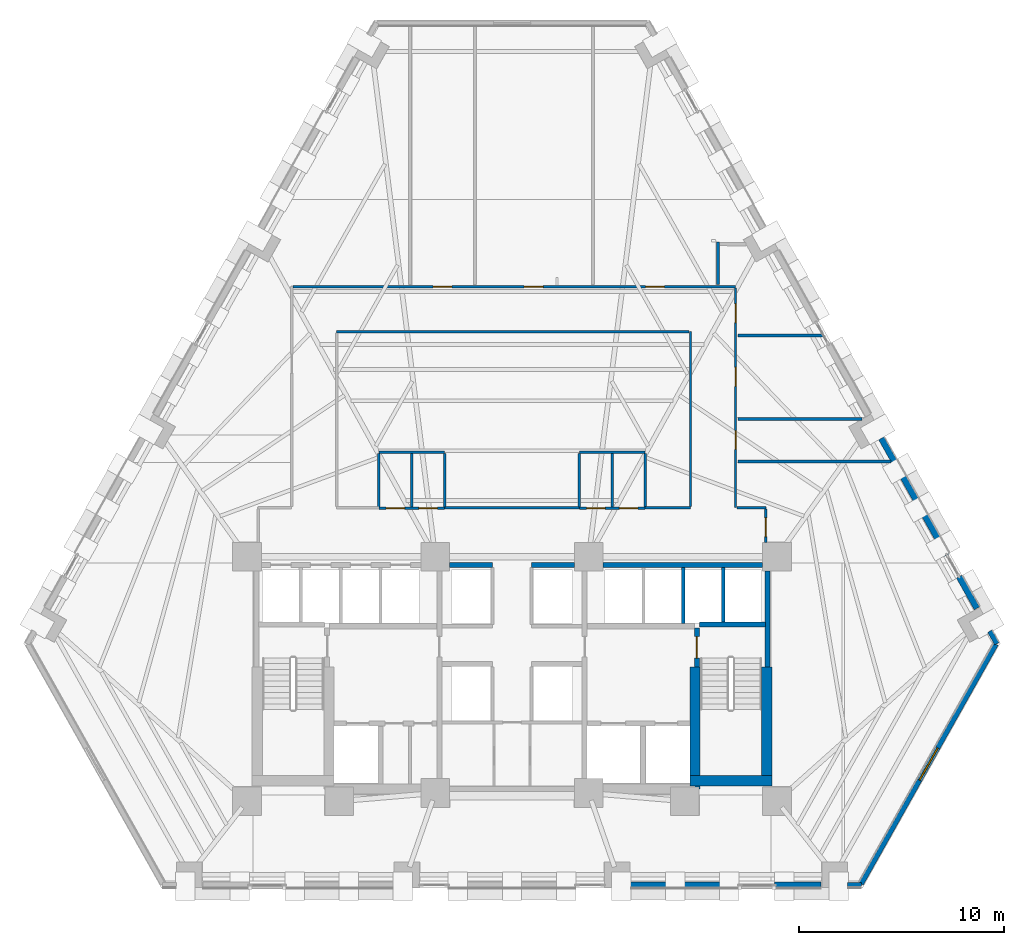
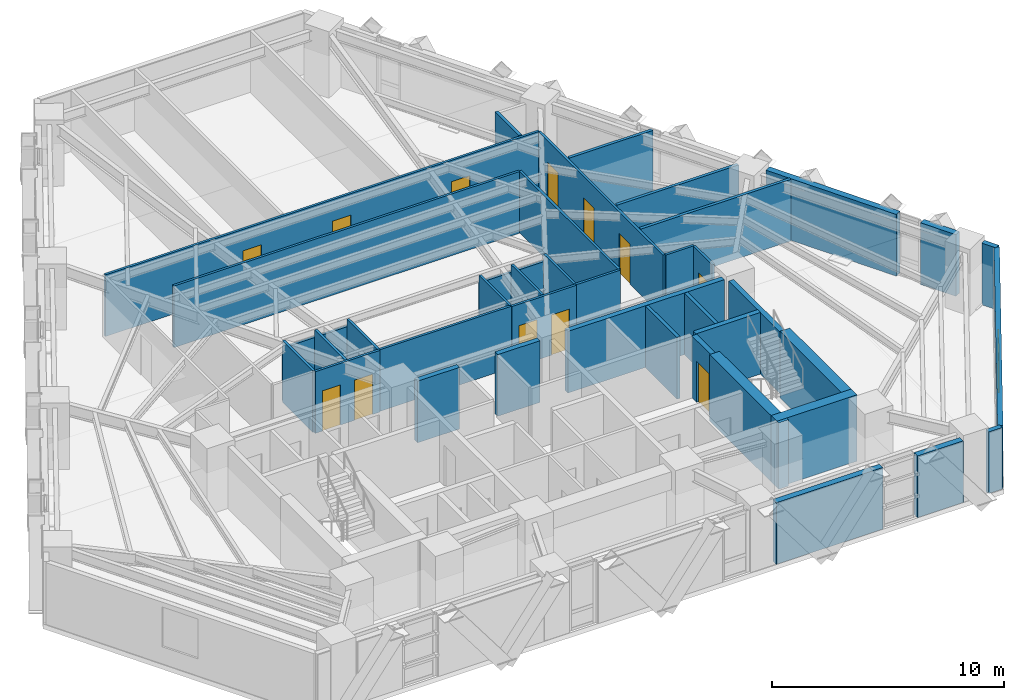
# One storey, part 8 of 13: 40 walls, 12 doors, 1 window, 13 openings.
"""IFC4 building model written with IfcOpenShell, lengths in metres."""

from ifc_helpers import new_model, si_unit, direction, frame, frame_2d, origin, place, context, subcontext, project, spatial, rectangle, extrude, material, layer, layer_set, type_object, element, fill, save


model = new_model("IFC4")

# Units and contexts
model_context = context("Model", 3, precision=1e-05, world=origin(), true_north=direction((0.0, 1.0)))
body_context = subcontext(model_context, "Body", "Model", "MODEL_VIEW")
ifc_project = project(units=[si_unit("LENGTHUNIT", "METRE"), si_unit("AREAUNIT", "SQUARE_METRE"), si_unit("VOLUMEUNIT", "CUBIC_METRE"), si_unit("PLANEANGLEUNIT", "RADIAN"), si_unit("MASSUNIT", "GRAM", prefix="KILO")], contexts=[model_context])

# Site, building, storey
site_placement = place(None, origin())
site = spatial("IfcSite", under=ifc_project, at=site_placement, CompositionType="ELEMENT")
building_placement = place(site_placement, origin())
building = spatial("IfcBuilding", under=site, at=building_placement, Name="Quenlor Broadcast Tower", CompositionType="ELEMENT")
storey_placement = place(building_placement, frame((0.0, 0.0, 38.10009765625)))
storey = spatial("IfcBuildingStorey", under=building, at=storey_placement, Name="L09", CompositionType="ELEMENT", Elevation=38.10009765625)

# Walls
ifc_material_1 = material(Name="Acoustic Double Stud Gypsum Partition", Category="other")
ifc_layer_1 = layer(ifc_material_1, 0.14990234375)
ifc_layer_set_1 = layer_set([ifc_layer_1], Name="Broadcast Studio Acoustic Partition 150")
wall_type_1 = type_object("IfcWallType", Name="Broadcast Studio Acoustic Partition 150", PredefinedType="PARTITIONING", material=ifc_layer_set_1)
wall_1_placement = place(storey_placement, frame((10.06005859375, 10.573486328125, 0.0), z_axis=(0.0, 0.0, 1.0), x_axis=(0.0, -1.0, 0.0)))
element("IfcWall", 1, at=wall_1_placement, inside=storey, type_object=wall_type_1, Name="L09 Interior Wall PW-DV-04", PredefinedType="PARTITIONING", context=body_context, shape_type="SweptSolid", body=[
    extrude(rectangle(XDim=2.0634765625, YDim=0.14990234375, at=frame_2d((1.03173828125, 0.0))), origin(), (0.0, 0.0, 1.0), 3.25),
])
wall_2_placement = place(storey_placement, frame((15.206298828125, 6.02001953125, 0.0), z_axis=(0.0, 0.0, 1.0), x_axis=(-1.0, 0.0, 0.0)))
element("IfcWall", 2, at=wall_2_placement, inside=storey, type_object=wall_type_1, Name="L09 Interior Wall PW-DV-06", PredefinedType="PARTITIONING", context=body_context, shape_type="SweptSolid", body=[
    extrude(rectangle(XDim=4.17138671875, YDim=0.14990234375, at=frame_2d((2.085693359375, 0.0))), origin(), (0.0, 0.0, 1.0), 3.25),
])
wall_3_placement = place(storey_placement, frame((17.1064453125, 1.919921875, 0.0), z_axis=(0.0, 0.0, 1.0), x_axis=(-1.0, 0.0, 0.0)))
element("IfcWall", 3, at=wall_3_placement, inside=storey, type_object=wall_type_1, Name="L09 Interior Wall PW-DV-07", PredefinedType="PARTITIONING", context=body_context, shape_type="SweptSolid", body=[
    extrude(rectangle(XDim=6.071533203125, YDim=0.14990234375, at=frame_2d((3.03564453125, 0.0))), origin(), (0.0, 0.0, 1.0), 3.25),
])
wall_4_placement = place(storey_placement, frame((18.51416015625, -0.150390625, 0.0), z_axis=(0.0, 0.0, 1.0), x_axis=(-1.0, 0.0, 0.0)))
element("IfcWall", 4, at=wall_4_placement, inside=storey, type_object=wall_type_1, Name="L09 Interior Wall PW-DV-08", PredefinedType="PARTITIONING", context=body_context, shape_type="SweptSolid", body=[
    extrude(rectangle(XDim=7.479248046875, YDim=0.14990234375, at=frame_2d((3.73974609375, 0.0))), origin(), (0.0, 0.0, 1.0), 3.25),
])
ifc_material_2 = material(Name="Concrete C65/80", Category="concrete")
ifc_layer_2 = layer(ifc_material_2, 0.5)
ifc_layer_set_2 = layer_set([ifc_layer_2], Name="Core Concrete C65/80 Shear Wall 500")
wall_type_2 = type_object("IfcWallType", Name="Core Concrete C65/80 Shear Wall 500", PredefinedType="SHEAR", material=ifc_layer_set_2)
wall_5_placement = place(storey_placement, frame((8.699951171875, -15.75, 0.0), z_axis=(0.0, 0.0, 1.0), x_axis=(1.0, 0.0, 0.0)))
element("IfcWall", 5, at=wall_5_placement, inside=storey, type_object=wall_type_2, Name="L09 Core Shear Wall WS-E2", PredefinedType="SHEAR", context=body_context, shape_type="SweptSolid", body=[
    extrude(rectangle(XDim=4.0, YDim=0.5, at=frame_2d((2.0, 0.0))), origin(), (0.0, 0.0, 1.0), 3.5),
])
wall_6_placement = place(storey_placement, frame((12.449951171875, -15.75, 0.0), z_axis=(0.0, 0.0, 1.0), x_axis=(0.0, 1.0, 0.0)))
element("IfcWall", 6, at=wall_6_placement, inside=storey, type_object=wall_type_2, Name="L09 Core Shear Wall WF-E", PredefinedType="SHEAR", context=body_context, shape_type="SweptSolid", body=[
    extrude(rectangle(XDim=5.550048828125, YDim=0.5, at=frame_2d((2.77490234375, 0.0))), origin(), (0.0, 0.0, 1.0), 3.5),
])
wall_7_placement = place(storey_placement, frame((8.949951171875, -16.14990234375, 0.0), z_axis=(0.0, 0.0, 1.0), x_axis=(0.0, 1.0, 0.0)))
element("IfcWall", 7, at=wall_7_placement, inside=storey, type_object=wall_type_2, Name="L09 Core Shear Wall WI-E", PredefinedType="SHEAR", context=body_context, shape_type="SweptSolid", body=[
    extrude(rectangle(XDim=5.949951171875, YDim=0.5, at=frame_2d((2.97509765625, 0.0))), origin(), (0.0, 0.0, 1.0), 3.5),
])

# Wall, opening, door
ifc_material_3 = material(Name="Concrete C40/50", Category="concrete")
ifc_layer_3 = layer(ifc_material_3, 0.25)
ifc_layer_set_3 = layer_set([ifc_layer_3], Name="Fire Rated Concrete C40/50 Core Wall 250")
wall_type_3 = type_object("IfcWallType", Name="Fire Rated Concrete C40/50 Core Wall 250", PredefinedType="PARTITIONING", material=ifc_layer_set_3)
wall_8_placement = place(storey_placement, frame((9.0400390625, -10.179931640625, 0.0), z_axis=(0.0, 0.0, 1.0), x_axis=(0.0, 1.0, 0.0)))
wall_8 = element("IfcWall", 8, at=wall_8_placement, inside=storey, type_object=wall_type_3, Name="L09 Interior Wall CW-ST2-DR", PredefinedType="PARTITIONING", context=body_context, shape_type="SweptSolid", body=[
    extrude(rectangle(XDim=1.89990234375, YDim=0.25, at=frame_2d((0.949951171875, 0.0))), origin(), (0.0, 0.0, 1.0), 3.25),
])
opening_1_placement = place(wall_8_placement, frame((0.419921875, 0.0, 0.0)))
opening_1 = element("IfcOpeningElement", 9, at=opening_1_placement, cuts=wall_8, Name="Opening FD-1", PredefinedType="OPENING", context=body_context, shape_type="SweptSolid", body=[
    extrude(rectangle(XDim=1.050048828125, YDim=2.14990234375, at=frame_2d((0.52490234375, 1.074951171875))), frame((0.0, 0.135009765625, 0.0), z_axis=(0.0, -1.0, 0.0), x_axis=(1.0, 0.0, 0.0)), (0.0, 0.0, 1.0), 0.27001953125),
])
ifc_material_4 = material(Name="Fire Rated Steel Door Leaf", Category="steel")
door_type_1 = type_object("IfcDoorType", Name="Fire Isolated Stair Door 1050x2150", OperationType="NOTDEFINED", PredefinedType="DOOR", material=ifc_material_4)
door_1_placement = place(opening_1_placement, origin())
door_1 = element("IfcDoor", 10, at=door_1_placement, inside=storey, type_object=door_type_1, Name="L09 Door DR-ST2", OperationType="SINGLE_SWING_RIGHT", OverallHeight=2.14990234375, OverallWidth=1.050048828125, PredefinedType="DOOR", context=body_context, shape_type="SweptSolid", body=[
    extrude(rectangle(XDim=1.050048828125, YDim=2.14990234375, at=frame_2d((0.52490234375, 1.074951171875))), frame((0.0, 0.02490234375, 0.0), z_axis=(0.0, -1.0, 0.0), x_axis=(1.0, 0.0, 0.0)), (0.0, 0.0, 1.0), 0.050048828125),
])
fill(opening_1, door_1)

# Walls
wall_9_placement = place(storey_placement, frame((9.159912109375, -8.1201171875, 0.0), z_axis=(0.0, 0.0, 1.0), x_axis=(1.0, 0.0, 0.0)))
element("IfcWall", 11, at=wall_9_placement, inside=storey, type_object=wall_type_3, Name="L09 Interior Wall CW-ST2-N", PredefinedType="PARTITIONING", context=body_context, shape_type="SweptSolid", body=[
    extrude(rectangle(XDim=3.219970703125, YDim=0.25, at=frame_2d((1.60986328125, 0.0))), origin(), (0.0, 0.0, 1.0), 3.25),
])
wall_10_placement = place(storey_placement, frame((12.47998046875, -10.179931640625, 0.0), z_axis=(0.0, 0.0, 1.0), x_axis=(0.0, 1.0, 0.0)))
element("IfcWall", 12, at=wall_10_placement, inside=storey, type_object=wall_type_3, Name="L09 Interior Wall CW-ST2-E2", PredefinedType="PARTITIONING", context=body_context, shape_type="SweptSolid", body=[
    extrude(rectangle(XDim=4.677978515625, YDim=0.25, at=frame_2d((2.3388671875, 0.0))), origin(), (0.0, 0.0, 1.0), 3.25),
])
wall_11_placement = place(storey_placement, frame((4.451904296875, -5.199951171875, 0.0), z_axis=(0.0, 0.0, 1.0), x_axis=(1.0, 0.0, 0.0)))
element("IfcWall", 13, at=wall_11_placement, inside=storey, type_object=wall_type_3, Name="L09 Interior Wall CW-N-E", PredefinedType="PARTITIONING", context=body_context, shape_type="SweptSolid", body=[
    extrude(rectangle(XDim=7.796142578125, YDim=0.25, at=frame_2d((3.89794921875, 0.0))), origin(), (0.0, 0.0, 1.0), 3.25),
])
for number, where, z_axis, x_axis, name in (
    (14, (-3.048095703125, -5.199951171875, 0.0), (0.0, 0.0, 1.0), (1.0, 0.0, 0.0), "L09 Interior Wall CW-N-M1"),
    (15, (0.949951171875, -5.199951171875, 0.0), (0.0, 0.0, 1.0), (1.0, 0.0, 0.0), "L09 Interior Wall CW-N-M2"),
):
    element("IfcWall", number, at=place(storey_placement, frame(where, z_axis=z_axis, x_axis=x_axis)), inside=storey, type_object=wall_type_3, Name=name, PredefinedType="PARTITIONING", context=body_context, shape_type="SweptSolid", body=[
        extrude(rectangle(XDim=2.09814453125, YDim=0.25, at=frame_2d((1.049072265625, 0.0))), origin(), (0.0, 0.0, 1.0), 3.25),
    ])
ifc_material_5 = material(Name="Gypsum Fireboard Partition", Category="other")
ifc_layer_4 = layer(ifc_material_5, 0.159912109375)
ifc_layer_set_4 = layer_set([ifc_layer_4], Name="Fire Rated Shaft and Corridor Partition 160")
wall_type_4 = type_object("IfcWallType", Name="Fire Rated Shaft and Corridor Partition 160", PredefinedType="PARTITIONING", material=ifc_layer_set_4)
wall_12_placement = place(storey_placement, frame((8.375, -8.072998046875, 0.0), z_axis=(0.0, 0.0, 1.0), x_axis=(0.0, 1.0, 0.0)))
element("IfcWall", 16, at=wall_12_placement, inside=storey, type_object=wall_type_4, Name="L09 Interior Wall CW-PLH-D2", PredefinedType="PARTITIONING", context=body_context, shape_type="SweptSolid", body=[
    extrude(rectangle(XDim=2.73291015625, YDim=0.159912109375, at=frame_2d((1.366455078125, 0.0))), origin(), (0.0, 0.0, 1.0), 3.25),
])
wall_13_placement = place(storey_placement, frame((10.324951171875, -7.992919921875, 0.0), z_axis=(0.0, 0.0, 1.0), x_axis=(0.0, 1.0, 0.0)))
element("IfcWall", 17, at=wall_13_placement, inside=storey, type_object=wall_type_4, Name="L09 Interior Wall CW-PLH-D3", PredefinedType="PARTITIONING", context=body_context, shape_type="SweptSolid", body=[
    extrude(rectangle(XDim=2.65283203125, YDim=0.159912109375, at=frame_2d((1.326416015625, 0.0))), origin(), (0.0, 0.0, 1.0), 3.25),
])

# Wall, openings, doors
ifc_material_6 = material(Name="Gypsum Plasterboard Partition", Category="other")
ifc_layer_5 = layer(ifc_material_6, 0.1201171875)
ifc_layer_set_5 = layer_set([ifc_layer_5], Name="Standard Office Partition 120")
wall_type_5 = type_object("IfcWallType", Name="Standard Office Partition 120", PredefinedType="PARTITIONING", material=ifc_layer_set_5)
wall_14_placement = place(storey_placement, frame((-6.510009765625, -2.43994140625, 0.0), z_axis=(0.0, 0.0, 1.0), x_axis=(1.0, 0.0, 0.0)))
wall_14 = element("IfcWall", 18, at=wall_14_placement, inside=storey, type_object=wall_type_5, Name="L09 Interior Wall PW-WCW-S", PredefinedType="PARTITIONING", context=body_context, shape_type="SweptSolid", body=[
    extrude(rectangle(XDim=3.219970703125, YDim=0.1201171875, at=frame_2d((1.60986328125, 0.0))), origin(), (0.0, 0.0, 1.0), 3.25),
])
opening_2_placement = place(wall_14_placement, frame((0.360107421875, 0.0, 0.0)))
opening_2 = element("IfcOpeningElement", 19, at=opening_2_placement, cuts=wall_14, Name="Opening ID-3", PredefinedType="OPENING", context=body_context, shape_type="SweptSolid", body=[
    extrude(rectangle(XDim=0.89990234375, YDim=2.1201171875, at=frame_2d((0.449951171875, 1.06005859375))), frame((0.0, 0.070068359375, 0.0), z_axis=(0.0, -1.0, 0.0), x_axis=(1.0, 0.0, 0.0)), (0.0, 0.0, 1.0), 0.14013671875),
])
opening_3_placement = place(wall_14_placement, frame((1.9599609375, 0.0, 0.0)))
opening_3 = element("IfcOpeningElement", 20, at=opening_3_placement, cuts=wall_14, Name="Opening ID-3", PredefinedType="OPENING", context=body_context, shape_type="SweptSolid", body=[
    extrude(rectangle(XDim=0.89990234375, YDim=2.1201171875, at=frame_2d((0.449951171875, 1.06005859375))), frame((0.0, 0.070068359375, 0.0), z_axis=(0.0, -1.0, 0.0), x_axis=(1.0, 0.0, 0.0)), (0.0, 0.0, 1.0), 0.14013671875),
])
ifc_material_7 = material(Name="Moisture Resistant Timber Oak", Category="wood")
door_type_2 = type_object("IfcDoorType", Name="Washroom Privacy Door 900x2120", OperationType="NOTDEFINED", PredefinedType="DOOR", material=ifc_material_7)
door_2_placement = place(opening_2_placement, origin())
door_2 = element("IfcDoor", 21, at=door_2_placement, inside=storey, type_object=door_type_2, Name="L09 Door DR-AWC", OperationType="SINGLE_SWING_LEFT", OverallHeight=2.1201171875, OverallWidth=0.89990234375, PredefinedType="DOOR", context=body_context, shape_type="SweptSolid", body=[
    extrude(rectangle(XDim=0.89990234375, YDim=2.1201171875, at=frame_2d((0.449951171875, 1.06005859375))), frame((0.0, 0.02490234375, 0.0), z_axis=(0.0, -1.0, 0.0), x_axis=(1.0, 0.0, 0.0)), (0.0, 0.0, 1.0), 0.050048828125),
])
fill(opening_2, door_2)
door_3_placement = place(opening_3_placement, origin())
door_3 = element("IfcDoor", 22, at=door_3_placement, inside=storey, type_object=door_type_2, Name="L09 Door DR-SHW", OperationType="SINGLE_SWING_RIGHT", OverallHeight=2.1201171875, OverallWidth=0.89990234375, PredefinedType="DOOR", context=body_context, shape_type="SweptSolid", body=[
    extrude(rectangle(XDim=0.89990234375, YDim=2.1201171875, at=frame_2d((0.449951171875, 1.06005859375))), frame((0.0, 0.02490234375, 0.0), z_axis=(0.0, -1.0, 0.0), x_axis=(1.0, 0.0, 0.0)), (0.0, 0.0, 1.0), 0.050048828125),
])
fill(opening_3, door_3)

# Walls
wall_15_placement = place(storey_placement, frame((-6.510009765625, 0.31005859375, 0.0), z_axis=(0.0, 0.0, 1.0), x_axis=(1.0, 0.0, 0.0)))
element("IfcWall", 23, at=wall_15_placement, inside=storey, type_object=wall_type_5, Name="L09 Interior Wall PW-WCW-N", PredefinedType="PARTITIONING", context=body_context, shape_type="SweptSolid", body=[
    extrude(rectangle(XDim=3.219970703125, YDim=0.1201171875, at=frame_2d((1.60986328125, 0.0))), origin(), (0.0, 0.0, 1.0), 2.843505859375),
])
for number, where, z_axis, x_axis, name in (
    (24, (-6.510009765625, -2.3779296875, 0.0), (0.0, 0.0, 1.0), (0.0, 1.0, 0.0), "L09 Interior Wall PW-WCW-W"),
    (25, (-4.89990234375, -2.3779296875, 0.0), (0.0, 0.0, 1.0), (0.0, 1.0, 0.0), "L09 Interior Wall PW-WCW-M"),
    (26, (-3.2900390625, -2.3779296875, 0.0), (0.0, 0.0, 1.0), (0.0, 1.0, 0.0), "L09 Interior Wall PW-WCW-E"),
):
    element("IfcWall", number, at=place(storey_placement, frame(where, z_axis=z_axis, x_axis=x_axis)), inside=storey, type_object=wall_type_5, Name=name, PredefinedType="PARTITIONING", context=body_context, shape_type="SweptSolid", body=[
        extrude(rectangle(XDim=2.6259765625, YDim=0.1201171875, at=frame_2d((1.31298828125, 0.0))), origin(), (0.0, 0.0, 1.0), 3.25),
    ])

# Wall, openings, doors
wall_16_placement = place(storey_placement, frame((3.2900390625, -2.43994140625, 0.0), z_axis=(0.0, 0.0, 1.0), x_axis=(1.0, 0.0, 0.0)))
wall_16 = element("IfcWall", 27, at=wall_16_placement, inside=storey, type_object=wall_type_5, Name="L09 Interior Wall PW-WCE-S", PredefinedType="PARTITIONING", context=body_context, shape_type="SweptSolid", body=[
    extrude(rectangle(XDim=3.219970703125, YDim=0.1201171875, at=frame_2d((1.60986328125, 0.0))), origin(), (0.0, 0.0, 1.0), 3.25),
])
opening_4_placement = place(wall_16_placement, frame((0.360107421875, 0.0, 0.0)))
opening_4 = element("IfcOpeningElement", 28, at=opening_4_placement, cuts=wall_16, Name="Opening ID-3", PredefinedType="OPENING", context=body_context, shape_type="SweptSolid", body=[
    extrude(rectangle(XDim=0.89990234375, YDim=2.1201171875, at=frame_2d((0.449951171875, 1.06005859375))), frame((0.0, 0.070068359375, 0.0), z_axis=(0.0, -1.0, 0.0), x_axis=(1.0, 0.0, 0.0)), (0.0, 0.0, 1.0), 0.14013671875),
])
opening_5_placement = place(wall_16_placement, frame((1.9599609375, 0.0, 0.0)))
opening_5 = element("IfcOpeningElement", 29, at=opening_5_placement, cuts=wall_16, Name="Opening ID-3", PredefinedType="OPENING", context=body_context, shape_type="SweptSolid", body=[
    extrude(rectangle(XDim=0.89990234375, YDim=2.1201171875, at=frame_2d((0.449951171875, 1.06005859375))), frame((0.0, 0.070068359375, 0.0), z_axis=(0.0, -1.0, 0.0), x_axis=(1.0, 0.0, 0.0)), (0.0, 0.0, 1.0), 0.14013671875),
])
door_4_placement = place(opening_4_placement, origin())
door_4 = element("IfcDoor", 30, at=door_4_placement, inside=storey, type_object=door_type_2, Name="L09 Door DR-MWC", OperationType="SINGLE_SWING_LEFT", OverallHeight=2.1201171875, OverallWidth=0.89990234375, PredefinedType="DOOR", context=body_context, shape_type="SweptSolid", body=[
    extrude(rectangle(XDim=0.89990234375, YDim=2.1201171875, at=frame_2d((0.449951171875, 1.06005859375))), frame((0.0, 0.02490234375, 0.0), z_axis=(0.0, -1.0, 0.0), x_axis=(1.0, 0.0, 0.0)), (0.0, 0.0, 1.0), 0.050048828125),
])
fill(opening_4, door_4)
door_5_placement = place(opening_5_placement, origin())
door_5 = element("IfcDoor", 31, at=door_5_placement, inside=storey, type_object=door_type_2, Name="L09 Door DR-FWC", OperationType="SINGLE_SWING_RIGHT", OverallHeight=2.1201171875, OverallWidth=0.89990234375, PredefinedType="DOOR", context=body_context, shape_type="SweptSolid", body=[
    extrude(rectangle(XDim=0.89990234375, YDim=2.1201171875, at=frame_2d((0.449951171875, 1.06005859375))), frame((0.0, 0.02490234375, 0.0), z_axis=(0.0, -1.0, 0.0), x_axis=(1.0, 0.0, 0.0)), (0.0, 0.0, 1.0), 0.050048828125),
])
fill(opening_5, door_5)

# Walls
wall_17_placement = place(storey_placement, frame((3.2900390625, 0.31005859375, 0.0), z_axis=(0.0, 0.0, 1.0), x_axis=(1.0, 0.0, 0.0)))
element("IfcWall", 32, at=wall_17_placement, inside=storey, type_object=wall_type_5, Name="L09 Interior Wall PW-WCE-N", PredefinedType="PARTITIONING", context=body_context, shape_type="SweptSolid", body=[
    extrude(rectangle(XDim=3.219970703125, YDim=0.1201171875, at=frame_2d((1.60986328125, 0.0))), origin(), (0.0, 0.0, 1.0), 2.843505859375),
])
for number, where, z_axis, x_axis, name in (
    (33, (3.2900390625, -2.3779296875, 0.0), (0.0, 0.0, 1.0), (0.0, 1.0, 0.0), "L09 Interior Wall PW-WCE-W"),
    (34, (4.89990234375, -2.3779296875, 0.0), (0.0, 0.0, 1.0), (0.0, 1.0, 0.0), "L09 Interior Wall PW-WCE-M"),
    (35, (6.510009765625, -2.3779296875, 0.0), (0.0, 0.0, 1.0), (0.0, 1.0, 0.0), "L09 Interior Wall PW-WCE-E"),
):
    element("IfcWall", number, at=place(storey_placement, frame(where, z_axis=z_axis, x_axis=x_axis)), inside=storey, type_object=wall_type_5, Name=name, PredefinedType="PARTITIONING", context=body_context, shape_type="SweptSolid", body=[
        extrude(rectangle(XDim=2.6259765625, YDim=0.1201171875, at=frame_2d((1.31298828125, 0.0))), origin(), (0.0, 0.0, 1.0), 3.25),
    ])

# Wall, openings, doors
wall_18_placement = place(storey_placement, frame((-10.712890625, 8.39990234375, 0.0), z_axis=(0.0, 0.0, 1.0), x_axis=(1.0, 0.0, 0.0)))
wall_18 = element("IfcWall", 36, at=wall_18_placement, inside=storey, type_object=wall_type_5, Name="L09 Interior Wall PW-CR-03", PredefinedType="PARTITIONING", context=body_context, shape_type="SweptSolid", body=[
    extrude(rectangle(XDim=21.637939453125, YDim=0.1201171875, at=frame_2d((10.81884765625, 0.0))), origin(), (0.0, 0.0, 1.0), 3.25),
])
opening_6_placement = place(wall_18_placement, frame((6.860107421875, 0.0, 0.0)))
opening_6 = element("IfcOpeningElement", 37, at=opening_6_placement, cuts=wall_18, Name="Opening ID-1", PredefinedType="OPENING", context=body_context, shape_type="SweptSolid", body=[
    extrude(rectangle(XDim=0.919921875, YDim=2.1201171875, at=frame_2d((0.4599609375, 1.06005859375))), frame((0.0, 0.070068359375, 0.0), z_axis=(0.0, -1.0, 0.0), x_axis=(1.0, 0.0, 0.0)), (0.0, 0.0, 1.0), 0.14013671875),
])
opening_7_placement = place(wall_18_placement, frame((11.31005859375, 0.0, 0.0)))
opening_7 = element("IfcOpeningElement", 38, at=opening_7_placement, cuts=wall_18, Name="Opening ID-1", PredefinedType="OPENING", context=body_context, shape_type="SweptSolid", body=[
    extrude(rectangle(XDim=0.919921875, YDim=2.1201171875, at=frame_2d((0.4599609375, 1.06005859375))), frame((0.0, 0.070068359375, 0.0), z_axis=(0.0, -1.0, 0.0), x_axis=(1.0, 0.0, 0.0)), (0.0, 0.0, 1.0), 0.14013671875),
])
opening_8_placement = place(wall_18_placement, frame((17.242919921875, 0.0, 0.0)))
opening_8 = element("IfcOpeningElement", 39, at=opening_8_placement, cuts=wall_18, Name="Opening ID-1", PredefinedType="OPENING", context=body_context, shape_type="SweptSolid", body=[
    extrude(rectangle(XDim=0.919921875, YDim=2.1201171875, at=frame_2d((0.4599609375, 1.06005859375))), frame((0.0, 0.070068359375, 0.0), z_axis=(0.0, -1.0, 0.0), x_axis=(1.0, 0.0, 0.0)), (0.0, 0.0, 1.0), 0.14013671875),
])
ifc_material_8 = material(Name="Solid Core Timber Oak", Category="wood")
door_type_3 = type_object("IfcDoorType", Name="Single Leaf Timber Office Door 920x2120", OperationType="NOTDEFINED", PredefinedType="DOOR", material=ifc_material_8)
door_6_placement = place(opening_6_placement, origin())
door_6 = element("IfcDoor", 40, at=door_6_placement, inside=storey, type_object=door_type_3, Name="L09 Door DR-RM01", OperationType="SINGLE_SWING_LEFT", OverallHeight=2.1201171875, OverallWidth=0.919921875, PredefinedType="DOOR", context=body_context, shape_type="SweptSolid", body=[
    extrude(rectangle(XDim=0.919921875, YDim=2.1201171875, at=frame_2d((0.4599609375, 1.06005859375))), frame((0.0, 0.02490234375, 0.0), z_axis=(0.0, -1.0, 0.0), x_axis=(1.0, 0.0, 0.0)), (0.0, 0.0, 1.0), 0.050048828125),
])
fill(opening_6, door_6)
door_7_placement = place(opening_7_placement, origin())
door_7 = element("IfcDoor", 41, at=door_7_placement, inside=storey, type_object=door_type_3, Name="L09 Door DR-RM02", OperationType="SINGLE_SWING_RIGHT", OverallHeight=2.1201171875, OverallWidth=0.919921875, PredefinedType="DOOR", context=body_context, shape_type="SweptSolid", body=[
    extrude(rectangle(XDim=0.919921875, YDim=2.1201171875, at=frame_2d((0.4599609375, 1.06005859375))), frame((0.0, 0.02490234375, 0.0), z_axis=(0.0, -1.0, 0.0), x_axis=(1.0, 0.0, 0.0)), (0.0, 0.0, 1.0), 0.050048828125),
])
fill(opening_7, door_7)
door_8_placement = place(opening_8_placement, origin())
door_8 = element("IfcDoor", 42, at=door_8_placement, inside=storey, type_object=door_type_3, Name="L09 Door DR-RM03", OperationType="SINGLE_SWING_LEFT", OverallHeight=2.1201171875, OverallWidth=0.919921875, PredefinedType="DOOR", context=body_context, shape_type="SweptSolid", body=[
    extrude(rectangle(XDim=0.919921875, YDim=2.1201171875, at=frame_2d((0.4599609375, 1.06005859375))), frame((0.0, 0.02490234375, 0.0), z_axis=(0.0, -1.0, 0.0), x_axis=(1.0, 0.0, 0.0)), (0.0, 0.0, 1.0), 0.050048828125),
])
fill(opening_8, door_8)

wall_19_placement = place(storey_placement, frame((10.925048828125, 8.337890625, 0.0), z_axis=(0.0, 0.0, 1.0), x_axis=(0.0, -1.0, 0.0)))
wall_19 = element("IfcWall", 43, at=wall_19_placement, inside=storey, type_object=wall_type_5, Name="L09 Interior Wall PW-CR-04", PredefinedType="PARTITIONING", context=body_context, shape_type="SweptSolid", body=[
    extrude(rectangle(XDim=10.73779296875, YDim=0.1201171875, at=frame_2d((5.368896484375, 0.0))), origin(), (0.0, 0.0, 1.0), 3.25),
])
opening_9_placement = place(wall_19_placement, frame((0.777099609375, 0.0, 0.0)))
opening_9 = element("IfcOpeningElement", 44, at=opening_9_placement, cuts=wall_19, Name="Opening ID-1", PredefinedType="OPENING", context=body_context, shape_type="SweptSolid", body=[
    extrude(rectangle(XDim=0.919921875, YDim=2.1201171875, at=frame_2d((0.4599609375, 1.06005859375))), frame((0.0, 0.070068359375, 0.0), z_axis=(0.0, -1.0, 0.0), x_axis=(1.0, 0.0, 0.0)), (0.0, 0.0, 1.0), 0.14013671875),
])
opening_10_placement = place(wall_19_placement, frame((3.887939453125, 0.0, 0.0)))
opening_10 = element("IfcOpeningElement", 45, at=opening_10_placement, cuts=wall_19, Name="Opening ID-1", PredefinedType="OPENING", context=body_context, shape_type="SweptSolid", body=[
    extrude(rectangle(XDim=0.919921875, YDim=2.1201171875, at=frame_2d((0.4599609375, 1.06005859375))), frame((0.0, 0.070068359375, 0.0), z_axis=(0.0, -1.0, 0.0), x_axis=(1.0, 0.0, 0.0)), (0.0, 0.0, 1.0), 0.14013671875),
])
opening_11_placement = place(wall_19_placement, frame((6.972900390625, 0.0, 0.0)))
opening_11 = element("IfcOpeningElement", 46, at=opening_11_placement, cuts=wall_19, Name="Opening ID-1", PredefinedType="OPENING", context=body_context, shape_type="SweptSolid", body=[
    extrude(rectangle(XDim=0.919921875, YDim=2.1201171875, at=frame_2d((0.4599609375, 1.06005859375))), frame((0.0, 0.070068359375, 0.0), z_axis=(0.0, -1.0, 0.0), x_axis=(1.0, 0.0, 0.0)), (0.0, 0.0, 1.0), 0.14013671875),
])
door_9_placement = place(opening_9_placement, origin())
door_9 = element("IfcDoor", 47, at=door_9_placement, inside=storey, type_object=door_type_3, Name="L09 Door DR-RM05", OperationType="SINGLE_SWING_LEFT", OverallHeight=2.1201171875, OverallWidth=0.919921875, PredefinedType="DOOR", context=body_context, shape_type="SweptSolid", body=[
    extrude(rectangle(XDim=0.919921875, YDim=2.1201171875, at=frame_2d((0.4599609375, 1.06005859375))), frame((0.0, 0.02490234375, 0.0), z_axis=(0.0, -1.0, 0.0), x_axis=(1.0, 0.0, 0.0)), (0.0, 0.0, 1.0), 0.050048828125),
])
fill(opening_9, door_9)
door_10_placement = place(opening_10_placement, origin())
door_10 = element("IfcDoor", 48, at=door_10_placement, inside=storey, type_object=door_type_3, Name="L09 Door DR-RM06", OperationType="SINGLE_SWING_RIGHT", OverallHeight=2.1201171875, OverallWidth=0.919921875, PredefinedType="DOOR", context=body_context, shape_type="SweptSolid", body=[
    extrude(rectangle(XDim=0.919921875, YDim=2.1201171875, at=frame_2d((0.4599609375, 1.06005859375))), frame((0.0, 0.02490234375, 0.0), z_axis=(0.0, -1.0, 0.0), x_axis=(1.0, 0.0, 0.0)), (0.0, 0.0, 1.0), 0.050048828125),
])
fill(opening_10, door_10)
door_11_placement = place(opening_11_placement, origin())
door_11 = element("IfcDoor", 49, at=door_11_placement, inside=storey, type_object=door_type_3, Name="L09 Door DR-RM07", OperationType="SINGLE_SWING_LEFT", OverallHeight=2.1201171875, OverallWidth=0.919921875, PredefinedType="DOOR", context=body_context, shape_type="SweptSolid", body=[
    extrude(rectangle(XDim=0.919921875, YDim=2.1201171875, at=frame_2d((0.4599609375, 1.06005859375))), frame((0.0, 0.02490234375, 0.0), z_axis=(0.0, -1.0, 0.0), x_axis=(1.0, 0.0, 0.0)), (0.0, 0.0, 1.0), 0.050048828125),
])
fill(opening_11, door_11)

# Wall
wall_20_placement = place(storey_placement, frame((10.987060546875, -2.39990234375, 0.0), z_axis=(0.0, 0.0, 1.0), x_axis=(1.0, 0.0, 0.0)))
element("IfcWall", 50, at=wall_20_placement, inside=storey, type_object=wall_type_5, Name="L09 Interior Wall PW-CR-05", PredefinedType="PARTITIONING", context=body_context, shape_type="SweptSolid", body=[
    extrude(rectangle(XDim=1.4228515625, YDim=0.1201171875, at=frame_2d((0.71142578125, 0.0))), origin(), (0.0, 0.0, 1.0), 3.25),
])

# Wall, opening, door
wall_21_placement = place(storey_placement, frame((12.409912109375, -2.4619140625, 0.0), z_axis=(0.0, 0.0, 1.0), x_axis=(0.0, -1.0, 0.0)))
wall_21 = element("IfcWall", 51, at=wall_21_placement, inside=storey, type_object=wall_type_5, Name="L09 Interior Wall PW-CR-06", PredefinedType="PARTITIONING", context=body_context, shape_type="SweptSolid", body=[
    extrude(rectangle(XDim=1.635986328125, YDim=0.1201171875, at=frame_2d((0.81787109375, 0.0))), origin(), (0.0, 0.0, 1.0), 3.25),
])
opening_12_placement = place(wall_21_placement, frame((0.443115234375, 0.0, 0.0)))
opening_12 = element("IfcOpeningElement", 52, at=opening_12_placement, cuts=wall_21, Name="Opening ID-1", PredefinedType="OPENING", context=body_context, shape_type="SweptSolid", body=[
    extrude(rectangle(XDim=0.919921875, YDim=2.1201171875, at=frame_2d((0.4599609375, 1.06005859375))), frame((0.0, 0.070068359375, 0.0), z_axis=(0.0, -1.0, 0.0), x_axis=(1.0, 0.0, 0.0)), (0.0, 0.0, 1.0), 0.14013671875),
])
door_12_placement = place(opening_12_placement, origin())
door_12 = element("IfcDoor", 53, at=door_12_placement, inside=storey, type_object=door_type_3, Name="L09 Door DR-RM08", OperationType="SINGLE_SWING_RIGHT", OverallHeight=2.1201171875, OverallWidth=0.919921875, PredefinedType="DOOR", context=body_context, shape_type="SweptSolid", body=[
    extrude(rectangle(XDim=0.919921875, YDim=2.1201171875, at=frame_2d((0.4599609375, 1.06005859375))), frame((0.0, 0.02490234375, 0.0), z_axis=(0.0, -1.0, 0.0), x_axis=(1.0, 0.0, 0.0)), (0.0, 0.0, 1.0), 0.050048828125),
])
fill(opening_12, door_12)

# Walls
wall_22_placement = place(storey_placement, frame((-3.2880859375, -2.39990234375, 0.0), z_axis=(0.0, 0.0, 1.0), x_axis=(1.0, 0.0, 0.0)))
element("IfcWall", 54, at=wall_22_placement, inside=storey, type_object=wall_type_5, Name="L09 Interior Wall PW-CR-08S2", PredefinedType="PARTITIONING", context=body_context, shape_type="SweptSolid", body=[
    extrude(rectangle(XDim=6.576171875, YDim=0.1201171875, at=frame_2d((3.2880859375, 0.0))), origin(), (0.0, 0.0, 1.0), 3.25),
])
wall_23_placement = place(storey_placement, frame((6.511962890625, -2.39990234375, 0.0), z_axis=(0.0, 0.0, 1.0), x_axis=(1.0, 0.0, 0.0)))
element("IfcWall", 55, at=wall_23_placement, inside=storey, type_object=wall_type_5, Name="L09 Interior Wall PW-CR-08S3", PredefinedType="PARTITIONING", context=body_context, shape_type="SweptSolid", body=[
    extrude(rectangle(XDim=2.213134765625, YDim=0.1201171875, at=frame_2d((1.1064453125, 0.0))), origin(), (0.0, 0.0, 1.0), 3.25),
])
wall_24_placement = place(storey_placement, frame((8.72509765625, -2.337890625, 0.0), z_axis=(0.0, 0.0, 1.0), x_axis=(0.0, 1.0, 0.0)))
element("IfcWall", 56, at=wall_24_placement, inside=storey, type_object=wall_type_5, Name="L09 Interior Wall PW-CR-09", PredefinedType="PARTITIONING", context=body_context, shape_type="SweptSolid", body=[
    extrude(rectangle(XDim=8.537841796875, YDim=0.1201171875, at=frame_2d((4.26904296875, 0.0))), origin(), (0.0, 0.0, 1.0), 3.25),
])
wall_25_placement = place(storey_placement, frame((8.6630859375, 6.199951171875, 0.0), z_axis=(0.0, 0.0, 1.0), x_axis=(-1.0, 0.0, 0.0)))
element("IfcWall", 57, at=wall_25_placement, inside=storey, type_object=wall_type_5, Name="L09 Interior Wall PW-CR-10", PredefinedType="PARTITIONING", context=body_context, shape_type="SweptSolid", body=[
    extrude(rectangle(XDim=17.238037109375, YDim=0.1201171875, at=frame_2d((8.619140625, 0.0))), origin(), (0.0, 0.0, 1.0), 3.25),
])
ifc_material_9 = material(Name="Precast concrete C40/50", Category="concrete")
ifc_layer_6 = layer(ifc_material_9, 0.239990234375)
ifc_layer_set_6 = layer_set([ifc_layer_6], Name="Terrace Threshold Precast Concrete C40/50 Wall 240")
wall_type_6 = type_object("IfcWallType", Name="Terrace Threshold Precast Concrete C40/50 Wall 240", PredefinedType="STANDARD", material=ifc_layer_set_6)
wall_26_placement = place(storey_placement, frame((17.075927734375, -20.840087890625, 0.0), z_axis=(0.0, 0.0, 1.0), x_axis=(-1.0, 0.0, 0.0)))
element("IfcWall", 58, at=wall_26_placement, inside=storey, type_object=wall_type_6, Name="L09 Exterior Wall L09-SHD-SS0", PredefinedType="STANDARD", context=body_context, shape_type="SweptSolid", body=[
    extrude(rectangle(XDim=0.680908203125, YDim=0.239990234375, at=frame_2d((0.34033203125, 0.0))), origin(), (0.0, 0.0, 1.0), 3.25),
])
wall_27_placement = place(storey_placement, frame((23.351806640625, -8.44091796875, 0.0), z_axis=(0.0, 0.0, 1.0), x_axis=(0.490523074758, -0.871428203084, 0.0)))
element("IfcWall", 59, at=wall_27_placement, inside=storey, type_object=wall_type_6, Name="L09 Exterior Wall L09-SHD-NES1", PredefinedType="STANDARD", context=body_context, shape_type="SweptSolid", body=[
    extrude(rectangle(XDim=0.708251953125, YDim=0.239990234375, at=frame_2d((0.35400390625, 0.0))), origin(), (0.0, 0.0, 1.0), 3.25),
])

# Wall, opening, window
wall_28_placement = place(storey_placement, frame((17.06689453125, -20.79638671875, 0.0), z_axis=(0.0, 0.0, 1.0), x_axis=(0.490268135177, 0.871571658345, 0.0)))
wall_28 = element("IfcWall", 60, at=wall_28_placement, inside=storey, type_object=wall_type_6, Name="L09 Exterior Wall L09-CNR-06", PredefinedType="STANDARD", context=body_context, shape_type="SweptSolid", body=[
    extrude(rectangle(XDim=13.44775390625, YDim=0.239990234375, at=frame_2d((6.723876953125, 0.0))), origin(), (0.0, 0.0, 1.0), 3.25),
])
opening_13_placement = place(wall_28_placement, frame((5.823974609375, 0.0, 0.89990234375)))
opening_13 = element("IfcOpeningElement", 61, at=opening_13_placement, cuts=wall_28, Name="Opening WN-1", PredefinedType="OPENING", context=body_context, shape_type="SweptSolid", body=[
    extrude(rectangle(XDim=1.800048828125, YDim=2.10009765625, at=frame_2d((0.89990234375, 1.050048828125))), frame((0.0, 0.1298828125, 0.0), z_axis=(0.0, -1.0, 0.0), x_axis=(1.0, 0.0, 0.0)), (0.0, 0.0, 1.0), 0.260009765625),
])
ifc_material_10 = material(Name="Thermally Broken Aluminium and Low-E Glass", Category="aluminium")
window_type = type_object("IfcWindowType", Name="Tower Acoustic Vision Window 1800x2100", PartitioningType="SINGLE_PANEL", PredefinedType="WINDOW", material=ifc_material_10)
window_placement = place(opening_13_placement, origin())
window = element("IfcWindow", 62, at=window_placement, inside=storey, type_object=window_type, Name="L09 Corner Chamfer Window 6", OverallHeight=2.10009765625, OverallWidth=1.800048828125, PartitioningType="SINGLE_PANEL", PredefinedType="WINDOW", context=body_context, shape_type="SweptSolid", body=[
    extrude(rectangle(XDim=1.800048828125, YDim=2.10009765625, at=frame_2d((0.89990234375, 1.050048828125))), frame((0.0, 0.030029296875, 0.0), z_axis=(0.0, -1.0, 0.0), x_axis=(1.0, 0.0, 0.0)), (0.0, 0.0, 1.0), 0.06005859375),
])
fill(opening_13, window)

# Walls
ifc_material_11 = material(Name="Precast concrete C40/50", Category="concrete")
ifc_layer_7 = layer(ifc_material_11, 0.300048828125)
ifc_layer_set_7 = layer_set([ifc_layer_7], Name="Terracotta Precast Concrete C40/50 Spandrel Wall 300")
wall_type_7 = type_object("IfcWallType", Name="Terracotta Precast Concrete C40/50 Spandrel Wall 300", PredefinedType="STANDARD", material=ifc_layer_set_7)
wall_29_placement = place(storey_placement, frame((15.114990234375, -20.840087890625, 0.0), z_axis=(0.0, 0.0, 1.0), x_axis=(-1.0, 0.0, 0.0)))
element("IfcWall", 63, at=wall_29_placement, inside=storey, type_object=wall_type_7, Name="L09 Exterior Wall L09-SA-SP1", PredefinedType="STANDARD", context=body_context, shape_type="SweptSolid", body=[
    extrude(rectangle(XDim=2.280029296875, YDim=0.300048828125, at=frame_2d((1.14013671875, 0.0))), origin(), (0.0, 0.0, 1.0), 3.25),
])
wall_30_placement = place(storey_placement, frame((11.106689453125, -20.840087890625, 0.0), z_axis=(0.0, 0.0, 1.0), x_axis=(-1.0, 0.0, 0.0)))
element("IfcWall", 64, at=wall_30_placement, inside=storey, type_object=wall_type_7, Name="L09 Exterior Wall L09-SA-SP2", PredefinedType="STANDARD", context=body_context, shape_type="SweptSolid", body=[
    extrude(rectangle(XDim=5.31591796875, YDim=0.300048828125, at=frame_2d((2.657958984375, 0.0))), origin(), (0.0, 0.0, 1.0), 3.25),
])
wall_31_placement = place(storey_placement, frame((18.049560546875, 0.985595703125, 0.0), z_axis=(0.0, 0.0, 1.0), x_axis=(0.490245297262, -0.871584504516, 0.0)))
element("IfcWall", 65, at=wall_31_placement, inside=storey, type_object=wall_type_7, Name="L09 Exterior Wall L09-NEC-SP1", PredefinedType="STANDARD", context=body_context, shape_type="SweptSolid", body=[
    extrude(rectangle(XDim=6.543701171875, YDim=0.300048828125, at=frame_2d((3.27197265625, 0.0))), origin(), (0.0, 0.0, 1.0), 3.25),
])
wall_32_placement = place(storey_placement, frame((21.8505859375, -5.771728515625, 0.0), z_axis=(0.0, 0.0, 1.0), x_axis=(0.490241729391, -0.871586511348, 0.0)))
element("IfcWall", 66, at=wall_32_placement, inside=storey, type_object=wall_type_7, Name="L09 Exterior Wall L09-NEC-SP2", PredefinedType="STANDARD", context=body_context, shape_type="SweptSolid", body=[
    extrude(rectangle(XDim=1.7822265625, YDim=0.300048828125, at=frame_2d((0.89111328125, 0.0))), origin(), (0.0, 0.0, 1.0), 3.25),
])

save(model, "model.ifc")
